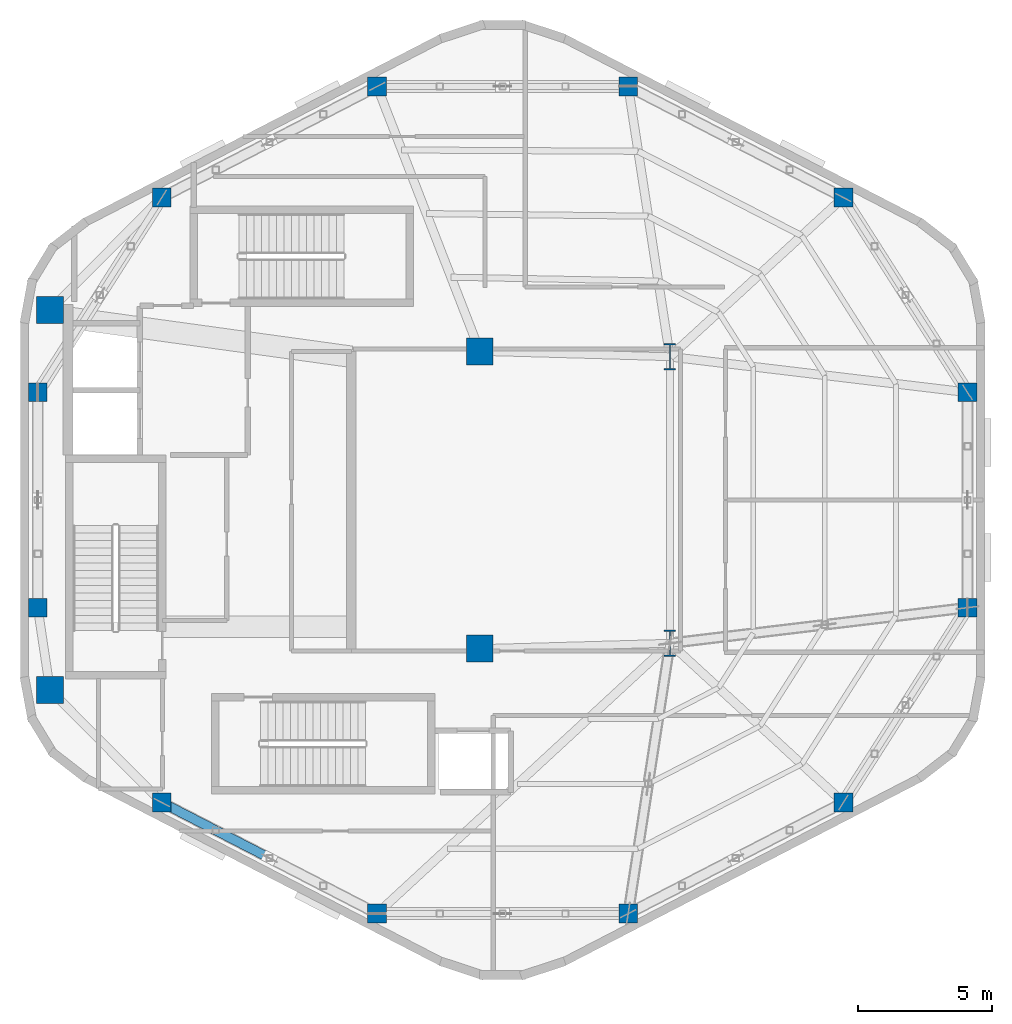
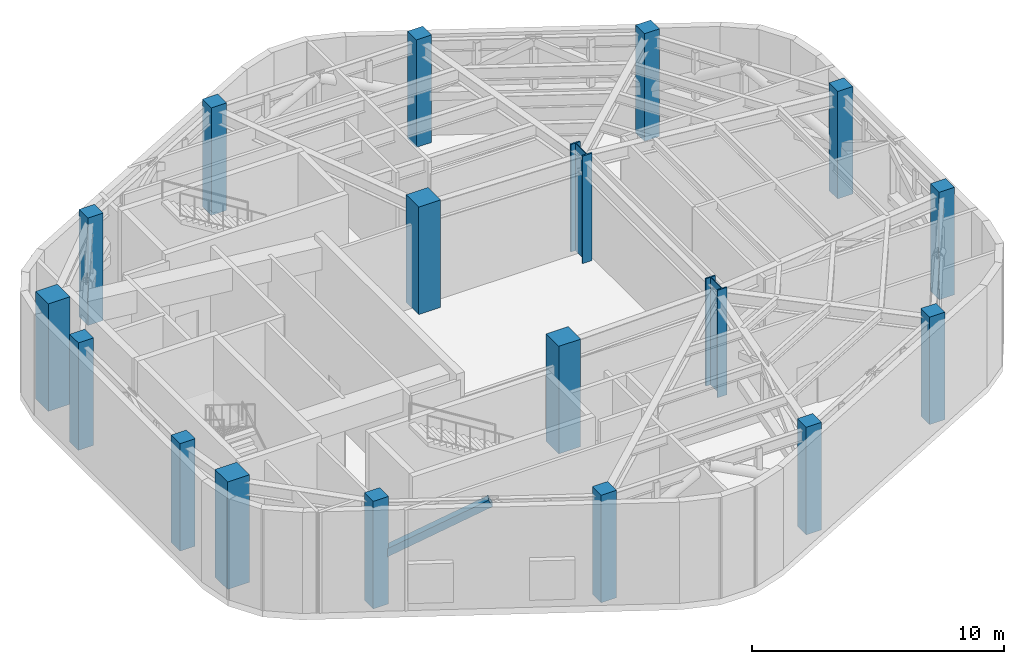
# One storey, part 1 of 8: 18 columns, 1 member.
"""IFC4 building model written with IfcOpenShell, lengths in metres."""

import ifcopenshell
import ifcopenshell.guid

model = None  # the IFC model being written
_history = None  # IfcOwnerHistory: only IFC2X3 demands one
_inside = {}  # id of a spatial element -> (the spatial element, [elements in it])
_under = {}  # id of a project, library or spatial element -> (it, [spatial elements below it])
_declared = {}  # id of a project -> (the project, [libraries it declares])
_typed = {}  # id of a type object -> (the type object, [elements of that type])
_made_of = {}  # id of a material, layer set ... -> (it, [elements and type objects made of it])


def new_model(schema):
    """Start an empty IFC model of exactly this schema.

    Asked for "IFC4X3", IfcOpenShell would pick the latest addendum, in which some entities
    have other attributes; the version numbers below select the first issue.
    IFC2X3 requires an IfcOwnerHistory on every rooted entity: one is made here for all.
    """
    global model, _history
    if schema == "IFC4X3":
        model = ifcopenshell.file(schema_version=(4, 3, 0, 0))
    else:
        model = ifcopenshell.file(schema=schema)
    _inside.clear()
    _under.clear()
    _declared.clear()
    _typed.clear()
    _made_of.clear()
    _history = None
    if model.schema == "IFC2X3":
        org = make("IfcOrganization", Name="unknown")
        user = make(
            "IfcPersonAndOrganization",
            ThePerson=make("IfcPerson", FamilyName="unknown"),
            TheOrganization=org,
        )
        app = make(
            "IfcApplication",
            ApplicationDeveloper=org,
            Version="unknown",
            ApplicationFullName="unknown",
            ApplicationIdentifier="unknown",
        )
        _history = make(
            "IfcOwnerHistory",
            OwningUser=user,
            OwningApplication=app,
            ChangeAction="ADDED",
            CreationDate=0,
        )
    return model


def make(cls, **values):
    """One entity of the class cls with the attributes given. An attribute that is None is left unset."""
    return model.create_entity(
        cls, **{name: value for name, value in values.items() if value is not None}
    )


def rooted(cls, **values):
    """An entity with a GlobalId (a new one), such as an element, a storey or a relation."""
    return make(cls, GlobalId=ifcopenshell.guid.new(), OwnerHistory=_history, **values)


def si_unit(unit_type, name, prefix=None):
    """IfcSIUnit, for example si_unit("LENGTHUNIT", "METRE", prefix="MILLI")."""
    return make("IfcSIUnit", UnitType=unit_type, Prefix=prefix, Name=name)


def assignment(units):
    """IfcUnitAssignment: the units of a project."""
    return None if units is None else make("IfcUnitAssignment", Units=units)


def point(xyz):
    """IfcCartesianPoint."""
    return None if xyz is None else make("IfcCartesianPoint", Coordinates=xyz)


def direction(xyz):
    """IfcDirection."""
    return None if xyz is None else make("IfcDirection", DirectionRatios=xyz)


def frame(location, z_axis=None, x_axis=None):
    """IfcAxis2Placement3D, a coordinate frame: its origin and axes. An axis left out is left unset."""
    return make(
        "IfcAxis2Placement3D",
        Location=point(location),
        Axis=direction(z_axis),
        RefDirection=direction(x_axis),
    )


def frame_2d(location, x_axis=None):
    """IfcAxis2Placement2D, a coordinate frame in the plane: its origin and x axis."""
    return make(
        "IfcAxis2Placement2D", Location=point(location), RefDirection=direction(x_axis)
    )


def origin():
    """The frame at (0, 0, 0) with its axes left unset."""
    return frame((0.0, 0.0, 0.0))


def origin_2d():
    """The frame at (0, 0) in the plane with its x axis left unset."""
    return frame_2d((0.0, 0.0))


def place(relative_to, where):
    """IfcLocalPlacement: puts the frame where relative to a parent placement (None: the world)."""
    return make(
        "IfcLocalPlacement", PlacementRelTo=relative_to, RelativePlacement=where
    )


def context(
    kind, dimensions, precision=None, world=None, true_north=None, identifier=None
):
    """IfcGeometricRepresentationContext, for example the 3D "Model" context."""
    return make(
        "IfcGeometricRepresentationContext",
        ContextIdentifier=identifier,
        ContextType=kind,
        CoordinateSpaceDimension=dimensions,
        Precision=precision,
        WorldCoordinateSystem=world,
        TrueNorth=true_north,
    )


def subcontext(parent, identifier, kind, view, scale=None):
    """IfcGeometricRepresentationSubContext, for example "Body" below "Model"."""
    return make(
        "IfcGeometricRepresentationSubContext",
        ContextIdentifier=identifier,
        ContextType=kind,
        ParentContext=parent,
        TargetScale=scale,
        TargetView=view,
    )


def project(units=None, contexts=None):
    """IfcProject with its units and contexts."""
    return rooted(
        "IfcProject",
        Name="project",
        RepresentationContexts=contexts,
        UnitsInContext=assignment(units),
    )


def spatial(cls, under=None, at=None, **own):
    """A site, building, storey or space (cls), placed at a placement, below another one or the project."""
    s = rooted(cls, ObjectPlacement=at, **own)
    if under is not None:
        _under.setdefault(under.id(), (under, []))[1].append(s)
    return s


def profile(cls, at=None, kind="AREA", **sizes):
    """A parametric profile (cls). Its sizes go by their IFC names, for example OverallWidth=200.0."""
    return make(cls, ProfileType=kind, Position=at, **sizes)


def rectangle(**sizes):
    """IfcRectangleProfileDef."""
    return profile("IfcRectangleProfileDef", **sizes)


def hollow_rectangle(**sizes):
    """IfcRectangleHollowProfileDef."""
    return profile("IfcRectangleHollowProfileDef", **sizes)


def i_section(**sizes):
    """IfcIShapeProfileDef."""
    return profile("IfcIShapeProfileDef", **sizes)


def extrude(swept, where, along, depth):
    """IfcExtrudedAreaSolid: the profile swept, set in the frame where, extruded along a direction by depth."""
    return make(
        "IfcExtrudedAreaSolid",
        SweptArea=swept,
        Position=where,
        ExtrudedDirection=direction(along),
        Depth=depth,
    )


def shape(context_of_items, identifier, shape_type, items):
    """IfcShapeRepresentation: the items that make up one representation, for example the "Body"."""
    return make(
        "IfcShapeRepresentation",
        ContextOfItems=context_of_items,
        RepresentationIdentifier=identifier,
        RepresentationType=shape_type,
        Items=items,
    )


def material(Name=None, Category=None):
    """IfcMaterial."""
    return make("IfcMaterial", Name=Name, Category=Category)


def material_profile(
    of_material, cross_section, Name=None, Category=None, Priority=None
):
    """IfcMaterialProfile: a cross section and its material."""
    return make(
        "IfcMaterialProfile",
        Name=Name,
        Material=of_material,
        Profile=cross_section,
        Priority=Priority,
        Category=Category,
    )


def profile_set(profiles, Name=None, composite=None):
    """IfcMaterialProfileSet."""
    return make(
        "IfcMaterialProfileSet",
        Name=Name,
        MaterialProfiles=profiles,
        CompositeProfile=composite,
    )


def made_of(thing, what):
    """Note that an element or type object is made of a material, layer set ...; save() writes the relation."""
    if what is not None:
        _made_of.setdefault(what.id(), (what, []))[1].append(thing)
    return thing


def type_object(cls, material=None, **own):
    """A type object (cls), such as IfcWallType, which elements share."""
    return made_of(rooted(cls, **own), material)


def element(
    cls,
    number,
    at=None,
    inside=None,
    cuts=None,
    type_object=None,
    material=None,
    context=None,
    identifier="Body",
    shape_type=None,
    held_by="IfcProductDefinitionShape",
    body=None,
    shapes=None,
    **own,
):
    """One element of the class cls, such as IfcWall. Its Tag is "e" and its number.

    at: its placement. inside: the storey or other place that contains it. cuts: it is an
    opening in that element (IfcRelVoidsElement). A single representation is given by context,
    identifier, shape_type and body (its items); several are given by shapes. held_by: the class
    of the entity that holds the representations. save() writes the other relations.
    """
    e = rooted(cls, Tag="e%d" % number, ObjectPlacement=at, **own)
    if body is not None:
        shapes = [shape(context, identifier, shape_type, body)]
    if shapes is not None:
        e.Representation = make(held_by, Representations=shapes)
    if inside is not None:
        _inside.setdefault(inside.id(), (inside, []))[1].append(e)
    if cuts is not None:
        rooted(
            "IfcRelVoidsElement", RelatingBuildingElement=cuts, RelatedOpeningElement=e
        )
    if type_object is not None:
        _typed.setdefault(type_object.id(), (type_object, []))[1].append(e)
    return made_of(e, material)


def aggregate(whole, parts):
    """IfcRelAggregates: a whole, such as a stair, and the parts it consists of."""
    return rooted("IfcRelAggregates", RelatingObject=whole, RelatedObjects=parts)


def save(model, path):
    """Write the relations noted so far, then the file.

    IfcRelAggregates (storeys below a building ...), IfcRelContainedInSpatialStructure (elements
    in a storey), IfcRelDefinesByType, IfcRelAssociatesMaterial and IfcRelDeclares: one each for
    every whole, place, type object, material and project.
    """
    for whole, parts in _under.values():
        aggregate(whole, parts)
    for where, things in _inside.values():
        rooted(
            "IfcRelContainedInSpatialStructure",
            RelatedElements=things,
            RelatingStructure=where,
        )
    for kind, things in _typed.values():
        rooted("IfcRelDefinesByType", RelatedObjects=things, RelatingType=kind)
    for what, things in _made_of.values():
        rooted("IfcRelAssociatesMaterial", RelatedObjects=things, RelatingMaterial=what)
    for by, libraries in _declared.values():
        rooted("IfcRelDeclares", RelatingContext=by, RelatedDefinitions=libraries)
    model.write(path)


model = new_model("IFC4")

# Units and contexts
model_context = context("Model", 3, precision=1e-05, world=origin(), true_north=direction((0.0, 1.0)))
body_context = subcontext(model_context, "Body", "Model", "MODEL_VIEW")
ifc_project = project(units=[si_unit("LENGTHUNIT", "METRE"), si_unit("AREAUNIT", "SQUARE_METRE"), si_unit("VOLUMEUNIT", "CUBIC_METRE"), si_unit("PLANEANGLEUNIT", "RADIAN"), si_unit("MASSUNIT", "GRAM", prefix="KILO"), si_unit("THERMODYNAMICTEMPERATUREUNIT", "KELVIN"), si_unit("POWERUNIT", "WATT")], contexts=[model_context])

# Site, building, storey
site_placement = place(None, origin())
site = spatial("IfcSite", under=ifc_project, at=site_placement, CompositionType="ELEMENT")
building_placement = place(site_placement, origin())
building = spatial("IfcBuilding", under=site, at=building_placement, Name="Skarre Station Tower", CompositionType="ELEMENT")
storey_placement = place(building_placement, frame((0.0, 0.0, 279.89990234375)))
storey = spatial("IfcBuildingStorey", under=building, at=storey_placement, Name="L76", CompositionType="ELEMENT", Elevation=279.89990234375)

# Columns
ifc_material_1 = material(Name="Concrete C60/75", Category="concrete")
ifc_material_profile_1 = material_profile(ifc_material_1, rectangle(XDim=1.0, YDim=1.0, at=origin_2d()), Name="Concrete C60/75")
ifc_profile_set_1 = profile_set([ifc_material_profile_1], Name="Concrete C60/75")
column_type_1 = type_object("IfcColumnType", Name="RC Structural Column RC-COL-1000X1000", PredefinedType="COLUMN", material=ifc_profile_set_1)
for number, where, z_axis, x_axis, name in (
    (1, (16.300048828125, 16.89990234375, 0.0), (0.0, 0.0, 1.0), (1.0, 0.0, 0.0), "L76 Core Column CC-SW"),
    (2, (16.300048828125, 31.10009765625, 0.0), (0.0, 0.0, 1.0), (1.0, 0.0, 0.0), "L76 Core Column CC-NW"),
    (3, (32.35009765625, 18.449951171875, 0.0), (0.0, 0.0, 1.0), (1.0, 0.0, 0.0), "L76 Core Column CC-SE"),
    (4, (32.35009765625, 29.550048828125, 0.0), (0.0, 0.0, 1.0), (1.0, 0.0, 0.0), "L76 Core Column CC-NE"),
):
    element("IfcColumn", number, at=place(storey_placement, frame(where, z_axis=z_axis, x_axis=x_axis)), inside=storey, type_object=column_type_1, Name=name, PredefinedType="COLUMN", context=body_context, shape_type="SweptSolid", body=[
        extrude(rectangle(XDim=1.0, YDim=1.0, at=origin_2d()), origin(), (0.0, 0.0, 1.0), 5.2001953125),
    ])
ifc_material_2 = material(Name="Concrete C50/60", Category="concrete")
ifc_material_profile_2 = material_profile(ifc_material_2, rectangle(XDim=0.699951171875, YDim=0.699951171875, at=origin_2d()), Name="Concrete C50/60")
ifc_profile_set_2 = profile_set([ifc_material_profile_2], Name="Concrete C50/60")
column_type_2 = type_object("IfcColumnType", Name="RC Structural Column RC-COL-700X700", PredefinedType="COLUMN", material=ifc_profile_set_2)
for number, where, z_axis, x_axis, name in (
    (5, (45.927001953125, 35.298095703125, 0.0), (0.0, 0.0, 1.0), (1.0, 0.0, 0.0), "L76 Zone 4 Perimeter Column F0C1"),
    (6, (37.888916015625, 39.447021484375, 0.0), (0.0, 0.0, 1.0), (1.0, 0.0, 0.0), "L76 Zone 4 Perimeter Column F0C2"),
    (7, (28.510986328125, 39.447021484375, 0.0), (0.0, 0.0, 1.0), (1.0, 0.0, 0.0), "L76 Zone 4 Perimeter Column F1C1"),
    (8, (20.472900390625, 35.298095703125, 0.0), (0.0, 0.0, 1.0), (1.0, 0.0, 0.0), "L76 Zone 4 Perimeter Column F1C2"),
    (9, (15.8369140625, 28.02099609375, 0.0), (0.0, 0.0, 1.0), (1.0, 0.0, 0.0), "L76 Zone 4 Perimeter Column F2C1"),
    (10, (15.8369140625, 19.97900390625, 0.0), (0.0, 0.0, 1.0), (1.0, 0.0, 0.0), "L76 Zone 4 Perimeter Column F2C2"),
    (11, (20.472900390625, 12.701904296875, 0.0), (0.0, 0.0, 1.0), (1.0, 0.0, 0.0), "L76 Zone 4 Perimeter Column F3C1"),
    (12, (28.510986328125, 8.552978515625, 0.0), (0.0, 0.0, 1.0), (1.0, 0.0, 0.0), "L76 Zone 4 Perimeter Column F3C2"),
    (13, (37.888916015625, 8.552978515625, 0.0), (0.0, 0.0, 1.0), (1.0, 0.0, 0.0), "L76 Zone 4 Perimeter Column F4C1"),
    (14, (45.927001953125, 12.701904296875, 0.0), (0.0, 0.0, 1.0), (1.0, 0.0, 0.0), "L76 Zone 4 Perimeter Column F4C2"),
    (15, (50.56298828125, 19.97900390625, 0.0), (0.0, 0.0, 1.0), (1.0, 0.0, 0.0), "L76 Zone 4 Perimeter Column F5C1"),
    (16, (50.56298828125, 28.02099609375, 0.0), (0.0, 0.0, 1.0), (1.0, 0.0, 0.0), "L76 Zone 4 Perimeter Column F5C2"),
):
    element("IfcColumn", number, at=place(storey_placement, frame(where, z_axis=z_axis, x_axis=x_axis)), inside=storey, type_object=column_type_2, Name=name, PredefinedType="COLUMN", context=body_context, shape_type="SweptSolid", body=[
        extrude(rectangle(XDim=0.699951171875, YDim=0.699951171875, at=origin_2d()), origin(), (0.0, 0.0, 1.0), 5.2001953125),
    ])
ifc_material_3 = material(Name="Steel ASTM A913 Grade 65", Category="steel")
ifc_material_profile_3 = material_profile(ifc_material_3, i_section(OverallWidth=0.430908203125, OverallDepth=0.987060546875, WebThickness=0.033935546875, FlangeThickness=0.06201171875, at=origin_2d()), Name="Steel ASTM A913 Grade 65")
ifc_profile_set_3 = profile_set([ifc_material_profile_3], Name="Steel ASTM A913 Grade 65")
column_type_3 = type_object("IfcColumnType", Name="Steel Column W36X441", PredefinedType="COLUMN", material=ifc_profile_set_3)
for number, where, z_axis, x_axis, name in (
    (17, (39.449951171875, 18.64990234375, 0.0), (0.0, 0.0, 1.0), (1.0, 0.0, 0.0), "L76 Atrium Spine Column AC-SE"),
    (18, (39.449951171875, 29.35009765625, 0.0), (0.0, 0.0, 1.0), (1.0, 0.0, 0.0), "L76 Atrium Spine Column AC-NE"),
):
    element("IfcColumn", number, at=place(storey_placement, frame(where, z_axis=z_axis, x_axis=x_axis)), inside=storey, type_object=column_type_3, Name=name, PredefinedType="COLUMN", context=body_context, shape_type="SweptSolid", body=[
        extrude(i_section(OverallWidth=0.430908203125, OverallDepth=0.987060546875, WebThickness=0.033935546875, FlangeThickness=0.06201171875, at=origin_2d()), origin(), (0.0, 0.0, 1.0), 5.2001953125),
    ])

# Member
ifc_material_4 = material(Name="Steel ASTM A500 Grade C", Category="steel")
ifc_material_profile_4 = material_profile(ifc_material_4, hollow_rectangle(XDim=0.35009765625, YDim=0.35009765625, WallThickness=0.02001953125, at=origin_2d()), Name="Steel ASTM A500 Grade C")
ifc_profile_set_4 = profile_set([ifc_material_profile_4], Name="Steel ASTM A500 Grade C")
member_type = type_object("IfcMemberType", Name="Steel Truss Brace HSS350X350X20", PredefinedType="BRACE", material=ifc_profile_set_4)
member_placement = place(storey_placement, frame((20.472900390625, 12.701904296875, 2.25), z_axis=(0.778467357166, -0.401717907856, 0.482297933164), x_axis=(0.458578290801, 0.888654010966, 0.0)))
element("IfcMember", 19, at=member_placement, inside=storey, type_object=member_type, Name="L76 Belt Truss Chevron Diagonal 7A", PredefinedType="BRACE", context=body_context, shape_type="SweptSolid", body=[
    extrude(hollow_rectangle(XDim=0.35009765625, YDim=0.35009765625, WallThickness=0.02001953125, at=origin_2d()), origin(), (0.0, 0.0, 1.0), 5.162841796875),
])

save(model, "model.ifc")
